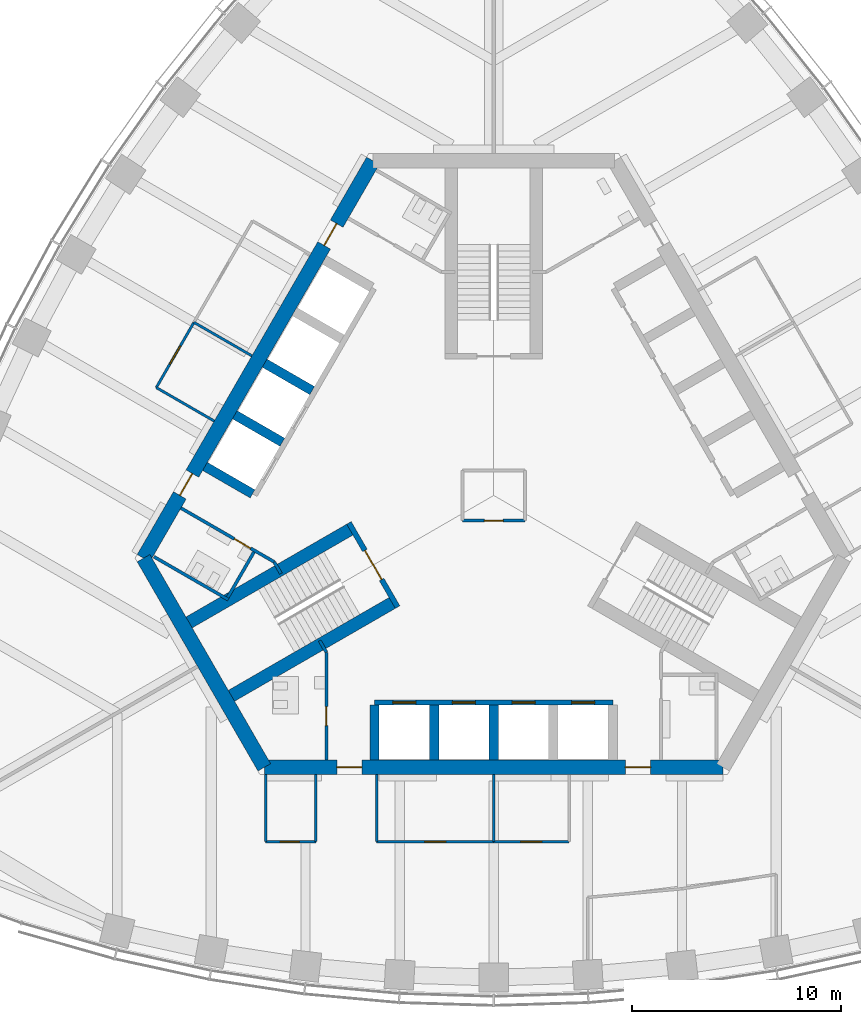
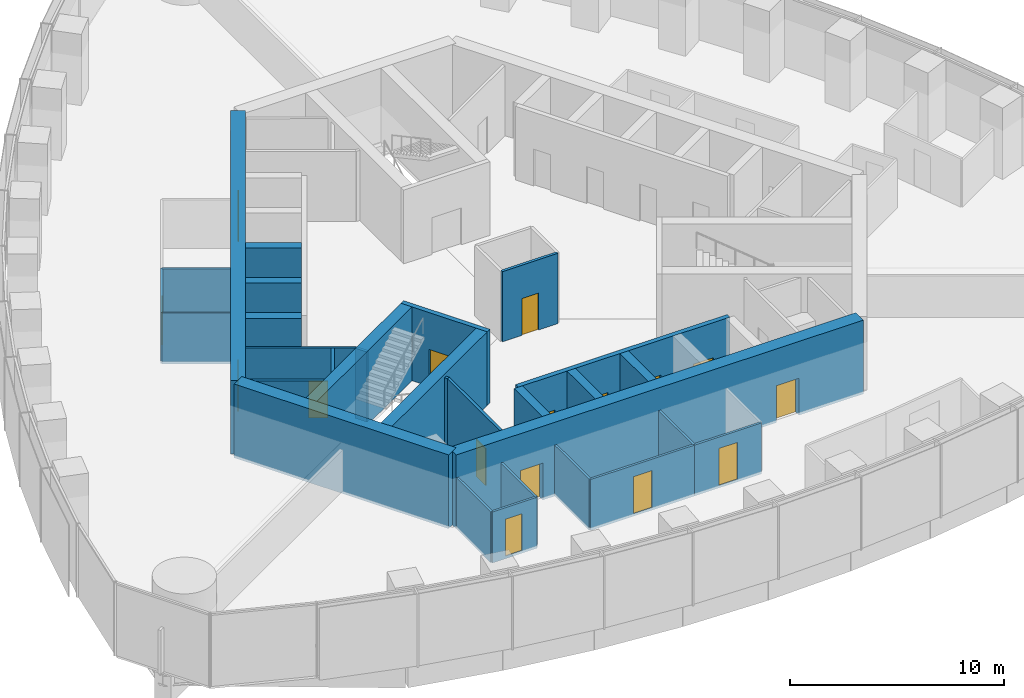
# One storey, part 8 of 14: 30 walls, 16 doors, 16 openings.
"""IFC4 building model written with IfcOpenShell, lengths in metres."""

import ifcopenshell
import ifcopenshell.guid

model = None  # the IFC model being written
_history = None  # IfcOwnerHistory: only IFC2X3 demands one
_inside = {}  # id of a spatial element -> (the spatial element, [elements in it])
_under = {}  # id of a project, library or spatial element -> (it, [spatial elements below it])
_declared = {}  # id of a project -> (the project, [libraries it declares])
_typed = {}  # id of a type object -> (the type object, [elements of that type])
_made_of = {}  # id of a material, layer set ... -> (it, [elements and type objects made of it])


def new_model(schema):
    """Start an empty IFC model of exactly this schema.

    Asked for "IFC4X3", IfcOpenShell would pick the latest addendum, in which some entities
    have other attributes; the version numbers below select the first issue.
    IFC2X3 requires an IfcOwnerHistory on every rooted entity: one is made here for all.
    """
    global model, _history
    if schema == "IFC4X3":
        model = ifcopenshell.file(schema_version=(4, 3, 0, 0))
    else:
        model = ifcopenshell.file(schema=schema)
    _inside.clear()
    _under.clear()
    _declared.clear()
    _typed.clear()
    _made_of.clear()
    _history = None
    if model.schema == "IFC2X3":
        org = make("IfcOrganization", Name="unknown")
        user = make(
            "IfcPersonAndOrganization",
            ThePerson=make("IfcPerson", FamilyName="unknown"),
            TheOrganization=org,
        )
        app = make(
            "IfcApplication",
            ApplicationDeveloper=org,
            Version="unknown",
            ApplicationFullName="unknown",
            ApplicationIdentifier="unknown",
        )
        _history = make(
            "IfcOwnerHistory",
            OwningUser=user,
            OwningApplication=app,
            ChangeAction="ADDED",
            CreationDate=0,
        )
    return model


def make(cls, **values):
    """One entity of the class cls with the attributes given. An attribute that is None is left unset."""
    return model.create_entity(
        cls, **{name: value for name, value in values.items() if value is not None}
    )


def rooted(cls, **values):
    """An entity with a GlobalId (a new one), such as an element, a storey or a relation."""
    return make(cls, GlobalId=ifcopenshell.guid.new(), OwnerHistory=_history, **values)


def si_unit(unit_type, name, prefix=None):
    """IfcSIUnit, for example si_unit("LENGTHUNIT", "METRE", prefix="MILLI")."""
    return make("IfcSIUnit", UnitType=unit_type, Prefix=prefix, Name=name)


def assignment(units):
    """IfcUnitAssignment: the units of a project."""
    return None if units is None else make("IfcUnitAssignment", Units=units)


def point(xyz):
    """IfcCartesianPoint."""
    return None if xyz is None else make("IfcCartesianPoint", Coordinates=xyz)


def direction(xyz):
    """IfcDirection."""
    return None if xyz is None else make("IfcDirection", DirectionRatios=xyz)


def frame(location, z_axis=None, x_axis=None):
    """IfcAxis2Placement3D, a coordinate frame: its origin and axes. An axis left out is left unset."""
    return make(
        "IfcAxis2Placement3D",
        Location=point(location),
        Axis=direction(z_axis),
        RefDirection=direction(x_axis),
    )


def frame_2d(location, x_axis=None):
    """IfcAxis2Placement2D, a coordinate frame in the plane: its origin and x axis."""
    return make(
        "IfcAxis2Placement2D", Location=point(location), RefDirection=direction(x_axis)
    )


def origin():
    """The frame at (0, 0, 0) with its axes left unset."""
    return frame((0.0, 0.0, 0.0))


def place(relative_to, where):
    """IfcLocalPlacement: puts the frame where relative to a parent placement (None: the world)."""
    return make(
        "IfcLocalPlacement", PlacementRelTo=relative_to, RelativePlacement=where
    )


def context(
    kind, dimensions, precision=None, world=None, true_north=None, identifier=None
):
    """IfcGeometricRepresentationContext, for example the 3D "Model" context."""
    return make(
        "IfcGeometricRepresentationContext",
        ContextIdentifier=identifier,
        ContextType=kind,
        CoordinateSpaceDimension=dimensions,
        Precision=precision,
        WorldCoordinateSystem=world,
        TrueNorth=true_north,
    )


def subcontext(parent, identifier, kind, view, scale=None):
    """IfcGeometricRepresentationSubContext, for example "Body" below "Model"."""
    return make(
        "IfcGeometricRepresentationSubContext",
        ContextIdentifier=identifier,
        ContextType=kind,
        ParentContext=parent,
        TargetScale=scale,
        TargetView=view,
    )


def project(units=None, contexts=None):
    """IfcProject with its units and contexts."""
    return rooted(
        "IfcProject",
        Name="project",
        RepresentationContexts=contexts,
        UnitsInContext=assignment(units),
    )


def spatial(cls, under=None, at=None, **own):
    """A site, building, storey or space (cls), placed at a placement, below another one or the project."""
    s = rooted(cls, ObjectPlacement=at, **own)
    if under is not None:
        _under.setdefault(under.id(), (under, []))[1].append(s)
    return s


def profile(cls, at=None, kind="AREA", **sizes):
    """A parametric profile (cls). Its sizes go by their IFC names, for example OverallWidth=200.0."""
    return make(cls, ProfileType=kind, Position=at, **sizes)


def rectangle(**sizes):
    """IfcRectangleProfileDef."""
    return profile("IfcRectangleProfileDef", **sizes)


def extrude(swept, where, along, depth):
    """IfcExtrudedAreaSolid: the profile swept, set in the frame where, extruded along a direction by depth."""
    return make(
        "IfcExtrudedAreaSolid",
        SweptArea=swept,
        Position=where,
        ExtrudedDirection=direction(along),
        Depth=depth,
    )


def shape(context_of_items, identifier, shape_type, items):
    """IfcShapeRepresentation: the items that make up one representation, for example the "Body"."""
    return make(
        "IfcShapeRepresentation",
        ContextOfItems=context_of_items,
        RepresentationIdentifier=identifier,
        RepresentationType=shape_type,
        Items=items,
    )


def material(Name=None, Category=None):
    """IfcMaterial."""
    return make("IfcMaterial", Name=Name, Category=Category)


def layer(
    of_material, thickness, ventilated=None, Name=None, Category=None, Priority=None
):
    """IfcMaterialLayer: one layer of a wall or slab, of a material (None: an air gap)."""
    return make(
        "IfcMaterialLayer",
        Material=of_material,
        LayerThickness=thickness,
        IsVentilated=ventilated,
        Name=Name,
        Category=Category,
        Priority=Priority,
    )


def layer_set(layers, Name=None):
    """IfcMaterialLayerSet."""
    return make("IfcMaterialLayerSet", MaterialLayers=layers, LayerSetName=Name)


def made_of(thing, what):
    """Note that an element or type object is made of a material, layer set ...; save() writes the relation."""
    if what is not None:
        _made_of.setdefault(what.id(), (what, []))[1].append(thing)
    return thing


def type_object(cls, material=None, **own):
    """A type object (cls), such as IfcWallType, which elements share."""
    return made_of(rooted(cls, **own), material)


def element(
    cls,
    number,
    at=None,
    inside=None,
    cuts=None,
    type_object=None,
    material=None,
    context=None,
    identifier="Body",
    shape_type=None,
    held_by="IfcProductDefinitionShape",
    body=None,
    shapes=None,
    **own,
):
    """One element of the class cls, such as IfcWall. Its Tag is "e" and its number.

    at: its placement. inside: the storey or other place that contains it. cuts: it is an
    opening in that element (IfcRelVoidsElement). A single representation is given by context,
    identifier, shape_type and body (its items); several are given by shapes. held_by: the class
    of the entity that holds the representations. save() writes the other relations.
    """
    e = rooted(cls, Tag="e%d" % number, ObjectPlacement=at, **own)
    if body is not None:
        shapes = [shape(context, identifier, shape_type, body)]
    if shapes is not None:
        e.Representation = make(held_by, Representations=shapes)
    if inside is not None:
        _inside.setdefault(inside.id(), (inside, []))[1].append(e)
    if cuts is not None:
        rooted(
            "IfcRelVoidsElement", RelatingBuildingElement=cuts, RelatedOpeningElement=e
        )
    if type_object is not None:
        _typed.setdefault(type_object.id(), (type_object, []))[1].append(e)
    return made_of(e, material)


def fill(opening, filler):
    """IfcRelFillsElement: the door or window that sits in an opening."""
    return rooted(
        "IfcRelFillsElement",
        RelatingOpeningElement=opening,
        RelatedBuildingElement=filler,
    )


def aggregate(whole, parts):
    """IfcRelAggregates: a whole, such as a stair, and the parts it consists of."""
    return rooted("IfcRelAggregates", RelatingObject=whole, RelatedObjects=parts)


def save(model, path):
    """Write the relations noted so far, then the file.

    IfcRelAggregates (storeys below a building ...), IfcRelContainedInSpatialStructure (elements
    in a storey), IfcRelDefinesByType, IfcRelAssociatesMaterial and IfcRelDeclares: one each for
    every whole, place, type object, material and project.
    """
    for whole, parts in _under.values():
        aggregate(whole, parts)
    for where, things in _inside.values():
        rooted(
            "IfcRelContainedInSpatialStructure",
            RelatedElements=things,
            RelatingStructure=where,
        )
    for kind, things in _typed.values():
        rooted("IfcRelDefinesByType", RelatedObjects=things, RelatingType=kind)
    for what, things in _made_of.values():
        rooted("IfcRelAssociatesMaterial", RelatedObjects=things, RelatingMaterial=what)
    for by, libraries in _declared.values():
        rooted("IfcRelDeclares", RelatingContext=by, RelatedDefinitions=libraries)
    model.write(path)


model = new_model("IFC4")

# Units and contexts
model_context = context("Model", 3, precision=1e-05, world=origin(), true_north=direction((0.0, 1.0)))
body_context = subcontext(model_context, "Body", "Model", "MODEL_VIEW")
ifc_project = project(units=[si_unit("LENGTHUNIT", "METRE"), si_unit("AREAUNIT", "SQUARE_METRE"), si_unit("VOLUMEUNIT", "CUBIC_METRE"), si_unit("PLANEANGLEUNIT", "RADIAN"), si_unit("MASSUNIT", "GRAM", prefix="KILO")], contexts=[model_context])

# Site, building, storey
site_placement = place(None, origin())
site = spatial("IfcSite", under=ifc_project, at=site_placement, CompositionType="ELEMENT")
building_placement = place(site_placement, origin())
building = spatial("IfcBuilding", under=site, at=building_placement, Name="Trefoil Bronze Tower", CompositionType="ELEMENT")
storey_placement = place(building_placement, frame((0.0, 0.0, 280.5)))
storey = spatial("IfcBuildingStorey", under=building, at=storey_placement, Name="L64", CompositionType="ELEMENT", Elevation=280.5)

# Wall, openings, doors
ifc_material_1 = material(Name="Concrete B80", Category="concrete")
ifc_layer_1 = layer(ifc_material_1, 0.699951171875)
ifc_layer_set_1 = layer_set([ifc_layer_1], Name="Core wall 700")
wall_type_1 = type_object("IfcWallType", Name="Core wall 700", PredefinedType="SHEAR", material=ifc_layer_set_1)
wall_1_placement = place(storey_placement, frame((-10.9697265625, -13.0, 0.0), z_axis=(0.0, 0.0, 1.0), x_axis=(1.0, 0.0, 0.0)))
wall_1 = element("IfcWall", 1, at=wall_1_placement, inside=storey, type_object=wall_type_1, Name="Core long wall 1 L64", PredefinedType="SHEAR", context=body_context, shape_type="SweptSolid", body=[
    extrude(rectangle(XDim=21.939453125, YDim=0.699951171875, at=frame_2d((10.9697265625, 0.0))), origin(), (0.0, 0.0, 1.0), 4.199951171875),
])
opening_1_placement = place(wall_1_placement, frame((17.269775390625, 0.0, 0.0)))
opening_1 = element("IfcOpeningElement", 2, at=opening_1_placement, cuts=wall_1, Name="Opening D2", PredefinedType="OPENING", context=body_context, shape_type="SweptSolid", body=[
    extrude(rectangle(XDim=1.199951171875, YDim=2.10009765625, at=frame_2d((0.60009765625, 1.050048828125))), frame((0.0, 0.35986328125, 0.0), z_axis=(0.0, -1.0, 0.0), x_axis=(1.0, 0.0, 0.0)), (0.0, 0.0, 1.0), 0.719970703125),
])
opening_2_placement = place(wall_1_placement, frame((3.4697265625, 0.0, 0.0)))
opening_2 = element("IfcOpeningElement", 3, at=opening_2_placement, cuts=wall_1, Name="Opening D2", PredefinedType="OPENING", context=body_context, shape_type="SweptSolid", body=[
    extrude(rectangle(XDim=1.199951171875, YDim=2.10009765625, at=frame_2d((0.60009765625, 1.050048828125))), frame((0.0, 0.35986328125, 0.0), z_axis=(0.0, -1.0, 0.0), x_axis=(1.0, 0.0, 0.0)), (0.0, 0.0, 1.0), 0.719970703125),
])
ifc_material_2 = material(Name="Steel door", Category="steel")
door_type_1 = type_object("IfcDoorType", Name="Lobby door 1200", OperationType="SINGLE_SWING_RIGHT", PredefinedType="DOOR", material=ifc_material_2)
door_1_placement = place(opening_1_placement, origin())
door_1 = element("IfcDoor", 4, at=door_1_placement, inside=storey, type_object=door_type_1, Name="Lobby door F1+ L64", OperationType="SINGLE_SWING_RIGHT", OverallHeight=2.10009765625, OverallWidth=1.199951171875, PredefinedType="DOOR", context=body_context, shape_type="SweptSolid", body=[
    extrude(rectangle(XDim=1.199951171875, YDim=2.10009765625, at=frame_2d((0.60009765625, 1.050048828125))), frame((0.0, 0.02490234375, 0.0), z_axis=(0.0, -1.0, 0.0), x_axis=(1.0, 0.0, 0.0)), (0.0, 0.0, 1.0), 0.050048828125),
])
fill(opening_1, door_1)
door_2_placement = place(opening_2_placement, origin())
door_2 = element("IfcDoor", 5, at=door_2_placement, inside=storey, type_object=door_type_1, Name="Lobby door F1- L64", OperationType="SINGLE_SWING_LEFT", OverallHeight=2.10009765625, OverallWidth=1.199951171875, PredefinedType="DOOR", context=body_context, shape_type="SweptSolid", body=[
    extrude(rectangle(XDim=1.199951171875, YDim=2.10009765625, at=frame_2d((0.60009765625, 1.050048828125))), frame((0.0, 0.02490234375, 0.0), z_axis=(0.0, -1.0, 0.0), x_axis=(1.0, 0.0, 0.0)), (0.0, 0.0, 1.0), 0.050048828125),
])
fill(opening_2, door_2)

wall_2_placement = place(storey_placement, frame((-5.7734375, 16.0, 0.0), z_axis=(0.0, 0.0, 1.0), x_axis=(-0.500002442456, -0.866023993627, 0.0)))
wall_2 = element("IfcWall", 6, at=wall_2_placement, inside=storey, type_object=wall_type_1, Name="Core long wall 3 L64", PredefinedType="SHEAR", context=body_context, shape_type="SweptSolid", body=[
    extrude(rectangle(XDim=21.939453125, YDim=0.699951171875, at=frame_2d((10.9697265625, 0.0))), origin(), (0.0, 0.0, 1.0), 4.199951171875),
])
opening_3_placement = place(wall_2_placement, frame((17.269775390625, 0.0, 0.0)))
opening_3 = element("IfcOpeningElement", 7, at=opening_3_placement, cuts=wall_2, Name="Opening D2", PredefinedType="OPENING", context=body_context, shape_type="SweptSolid", body=[
    extrude(rectangle(XDim=1.199951171875, YDim=2.10009765625, at=frame_2d((0.60009765625, 1.050048828125))), frame((0.0, 0.35986328125, 0.0), z_axis=(0.0, -1.0, 0.0), x_axis=(1.0, 0.0, 0.0)), (0.0, 0.0, 1.0), 0.719970703125),
])
opening_4_placement = place(wall_2_placement, frame((3.4697265625, 0.0, 0.0)))
opening_4 = element("IfcOpeningElement", 8, at=opening_4_placement, cuts=wall_2, Name="Opening D2", PredefinedType="OPENING", context=body_context, shape_type="SweptSolid", body=[
    extrude(rectangle(XDim=1.199951171875, YDim=2.10009765625, at=frame_2d((0.60009765625, 1.050048828125))), frame((0.0, 0.35986328125, 0.0), z_axis=(0.0, -1.0, 0.0), x_axis=(1.0, 0.0, 0.0)), (0.0, 0.0, 1.0), 0.719970703125),
])
door_3_placement = place(opening_3_placement, origin())
door_3 = element("IfcDoor", 9, at=door_3_placement, inside=storey, type_object=door_type_1, Name="Lobby door F3+ L64", OperationType="SINGLE_SWING_RIGHT", OverallHeight=2.10009765625, OverallWidth=1.199951171875, PredefinedType="DOOR", context=body_context, shape_type="SweptSolid", body=[
    extrude(rectangle(XDim=1.199951171875, YDim=2.10009765625, at=frame_2d((0.60009765625, 1.050048828125))), frame((0.0, 0.02490234375, 0.0), z_axis=(0.0, -1.0, 0.0), x_axis=(1.0, 0.0, 0.0)), (0.0, 0.0, 1.0), 0.050048828125),
])
fill(opening_3, door_3)
door_4_placement = place(opening_4_placement, origin())
door_4 = element("IfcDoor", 10, at=door_4_placement, inside=storey, type_object=door_type_1, Name="Lobby door F3- L64", OperationType="SINGLE_SWING_LEFT", OverallHeight=2.10009765625, OverallWidth=1.199951171875, PredefinedType="DOOR", context=body_context, shape_type="SweptSolid", body=[
    extrude(rectangle(XDim=1.199951171875, YDim=2.10009765625, at=frame_2d((0.60009765625, 1.050048828125))), frame((0.0, 0.02490234375, 0.0), z_axis=(0.0, -1.0, 0.0), x_axis=(1.0, 0.0, 0.0)), (0.0, 0.0, 1.0), 0.050048828125),
])
fill(opening_4, door_4)

# Wall
wall_3_placement = place(storey_placement, frame((-16.7431640625, -3.0, 0.0), z_axis=(0.0, 0.0, 1.0), x_axis=(0.499995765644, -0.866027848477, 0.0)))
element("IfcWall", 11, at=wall_3_placement, inside=storey, type_object=wall_type_1, Name="Core short wall 3 L64", PredefinedType="SHEAR", context=body_context, shape_type="SweptSolid", body=[
    extrude(rectangle(XDim=11.546875, YDim=0.699951171875, at=frame_2d((5.7734375, 0.0))), origin(), (0.0, 0.0, 1.0), 4.199951171875),
])

# Wall, opening, door
ifc_material_3 = material(Name="Glazed partition", Category="glass")
ifc_layer_2 = layer(ifc_material_3, 0.1201171875)
ifc_layer_set_2 = layer_set([ifc_layer_2], Name="Glazed partition 120")
wall_type_2 = type_object("IfcWallType", Name="Glazed partition 120", PredefinedType="PARTITIONING", material=ifc_layer_set_2)
wall_4_placement = place(storey_placement, frame((0.0, -16.550048828125, 0.0), z_axis=(0.0, 0.0, 1.0), x_axis=(1.0, 0.0, 0.0)))
wall_4 = element("IfcWall", 12, at=wall_4_placement, inside=storey, type_object=wall_type_2, Name="Partition F1 L64", PredefinedType="PARTITIONING", context=body_context, shape_type="SweptSolid", body=[
    extrude(rectangle(XDim=3.60009765625, YDim=0.1201171875, at=frame_2d((1.800048828125, 0.0))), origin(), (0.0, 0.0, 1.0), 2.89990234375),
])
opening_5_placement = place(wall_4_placement, frame((1.300048828125, 0.0, 0.14990234375)))
opening_5 = element("IfcOpeningElement", 13, at=opening_5_placement, cuts=wall_4, Name="Opening D9", PredefinedType="OPENING", context=body_context, shape_type="SweptSolid", body=[
    extrude(rectangle(XDim=1.0, YDim=2.10009765625, at=frame_2d((0.5, 1.050048828125))), frame((0.0, 0.070068359375, 0.0), z_axis=(0.0, -1.0, 0.0), x_axis=(1.0, 0.0, 0.0)), (0.0, 0.0, 1.0), 0.14013671875),
])
ifc_material_4 = material(Name="Glazed timber door", Category="wood")
door_type_2 = type_object("IfcDoorType", Name="Meeting room door 1000", OperationType="SINGLE_SWING_LEFT", PredefinedType="DOOR", material=ifc_material_4)
door_5_placement = place(opening_5_placement, origin())
door_5 = element("IfcDoor", 14, at=door_5_placement, inside=storey, type_object=door_type_2, Name="Meeting room door F1 L64", OperationType="SINGLE_SWING_LEFT", OverallHeight=2.10009765625, OverallWidth=1.0, PredefinedType="DOOR", context=body_context, shape_type="SweptSolid", body=[
    extrude(rectangle(XDim=1.0, YDim=2.10009765625, at=frame_2d((0.5, 1.050048828125))), frame((0.0, 0.02490234375, 0.0), z_axis=(0.0, -1.0, 0.0), x_axis=(1.0, 0.0, 0.0)), (0.0, 0.0, 1.0), 0.050048828125),
])
fill(opening_5, door_5)

wall_5_placement = place(storey_placement, frame((-10.89990234375, -16.550048828125, 0.0), z_axis=(0.0, 0.0, 1.0), x_axis=(1.0, 0.0, 0.0)))
wall_5 = element("IfcWall", 15, at=wall_5_placement, inside=storey, type_object=wall_type_2, Name="Partition F1 L64", PredefinedType="PARTITIONING", context=body_context, shape_type="SweptSolid", body=[
    extrude(rectangle(XDim=2.39990234375, YDim=0.1201171875, at=frame_2d((1.199951171875, 0.0))), origin(), (0.0, 0.0, 1.0), 2.89990234375),
])
opening_6_placement = place(wall_5_placement, frame((0.699951171875, 0.0, 0.14990234375)))
opening_6 = element("IfcOpeningElement", 16, at=opening_6_placement, cuts=wall_5, Name="Opening D8", PredefinedType="OPENING", context=body_context, shape_type="SweptSolid", body=[
    extrude(rectangle(XDim=0.89990234375, YDim=2.10009765625, at=frame_2d((0.449951171875, 1.050048828125))), frame((0.0, 0.070068359375, 0.0), z_axis=(0.0, -1.0, 0.0), x_axis=(1.0, 0.0, 0.0)), (0.0, 0.0, 1.0), 0.14013671875),
])
ifc_material_5 = material(Name="Timber door", Category="wood")
door_type_3 = type_object("IfcDoorType", Name="Office door 900", OperationType="SINGLE_SWING_LEFT", PredefinedType="DOOR", material=ifc_material_5)
door_6_placement = place(opening_6_placement, origin())
door_6 = element("IfcDoor", 17, at=door_6_placement, inside=storey, type_object=door_type_3, Name="Comms room door F1 L64", OperationType="SINGLE_SWING_LEFT", OverallHeight=2.10009765625, OverallWidth=0.89990234375, PredefinedType="DOOR", context=body_context, shape_type="SweptSolid", body=[
    extrude(rectangle(XDim=0.89990234375, YDim=2.10009765625, at=frame_2d((0.449951171875, 1.050048828125))), frame((0.0, 0.02490234375, 0.0), z_axis=(0.0, -1.0, 0.0), x_axis=(1.0, 0.0, 0.0)), (0.0, 0.0, 1.0), 0.050048828125),
])
fill(opening_6, door_6)

wall_6_placement = place(storey_placement, frame((-5.60009765625, -16.550048828125, 0.0), z_axis=(0.0, 0.0, 1.0), x_axis=(1.0, 0.0, 0.0)))
wall_6 = element("IfcWall", 18, at=wall_6_placement, inside=storey, type_object=wall_type_2, Name="Partition F1 L64", PredefinedType="PARTITIONING", context=body_context, shape_type="SweptSolid", body=[
    extrude(rectangle(XDim=5.60009765625, YDim=0.1201171875, at=frame_2d((2.800048828125, 0.0))), origin(), (0.0, 0.0, 1.0), 2.89990234375),
])
opening_7_placement = place(wall_6_placement, frame((2.300048828125, 0.0, 0.14990234375)))
opening_7 = element("IfcOpeningElement", 19, at=opening_7_placement, cuts=wall_6, Name="Opening D9", PredefinedType="OPENING", context=body_context, shape_type="SweptSolid", body=[
    extrude(rectangle(XDim=1.0, YDim=2.10009765625, at=frame_2d((0.5, 1.050048828125))), frame((0.0, 0.070068359375, 0.0), z_axis=(0.0, -1.0, 0.0), x_axis=(1.0, 0.0, 0.0)), (0.0, 0.0, 1.0), 0.14013671875),
])
door_7_placement = place(opening_7_placement, origin())
door_7 = element("IfcDoor", 20, at=door_7_placement, inside=storey, type_object=door_type_2, Name="Meeting room door F1 L64", OperationType="SINGLE_SWING_LEFT", OverallHeight=2.10009765625, OverallWidth=1.0, PredefinedType="DOOR", context=body_context, shape_type="SweptSolid", body=[
    extrude(rectangle(XDim=1.0, YDim=2.10009765625, at=frame_2d((0.5, 1.050048828125))), frame((0.0, 0.02490234375, 0.0), z_axis=(0.0, -1.0, 0.0), x_axis=(1.0, 0.0, 0.0)), (0.0, 0.0, 1.0), 0.050048828125),
])
fill(opening_7, door_7)

# Walls
for number, where, z_axis, x_axis, name in (
    (21, (0.0, -13.35009765625, 0.0), (0.0, 0.0, 1.0), (0.0, -1.0, 0.0), "Partition F1 L64"),
    (22, (-10.89990234375, -13.35009765625, 0.0), (0.0, 0.0, 1.0), (0.0, -1.0, 0.0), "Partition F1 L64"),
    (23, (-5.60009765625, -13.35009765625, 0.0), (0.0, 0.0, 1.0), (0.0, -1.0, 0.0), "Partition F1 L64"),
    (24, (-8.5, -13.35009765625, 0.0), (0.0, 0.0, 1.0), (0.0, -1.0, 0.0), "Partition F1 L64"),
):
    element("IfcWall", number, at=place(storey_placement, frame(where, z_axis=z_axis, x_axis=x_axis)), inside=storey, type_object=wall_type_2, Name=name, PredefinedType="PARTITIONING", context=body_context, shape_type="SweptSolid", body=[
        extrude(rectangle(XDim=3.199951171875, YDim=0.1201171875, at=frame_2d((1.60009765625, 0.0))), origin(), (0.0, 0.0, 1.0), 2.89990234375),
    ])

# Wall, opening, door
wall_7_placement = place(storey_placement, frame((-14.332763671875, 8.27490234375, 0.0), z_axis=(0.0, 0.0, 1.0), x_axis=(-0.500012057535, -0.866018442252, 0.0)))
wall_7 = element("IfcWall", 25, at=wall_7_placement, inside=storey, type_object=wall_type_2, Name="Partition F3 L64", PredefinedType="PARTITIONING", context=body_context, shape_type="SweptSolid", body=[
    extrude(rectangle(XDim=3.60009765625, YDim=0.1201171875, at=frame_2d((1.800048828125, 0.0))), origin(), (0.0, 0.0, 1.0), 2.89990234375),
])
opening_8_placement = place(wall_7_placement, frame((1.300048828125, 0.0, 0.14990234375)))
opening_8 = element("IfcOpeningElement", 26, at=opening_8_placement, cuts=wall_7, Name="Opening D9", PredefinedType="OPENING", context=body_context, shape_type="SweptSolid", body=[
    extrude(rectangle(XDim=1.0, YDim=2.10009765625, at=frame_2d((0.5, 1.050048828125))), frame((0.0, 0.070068359375, 0.0), z_axis=(0.0, -1.0, 0.0), x_axis=(1.0, 0.0, 0.0)), (0.0, 0.0, 1.0), 0.14013671875),
])
door_8_placement = place(opening_8_placement, origin())
door_8 = element("IfcDoor", 27, at=door_8_placement, inside=storey, type_object=door_type_2, Name="Meeting room door F3 L64", OperationType="SINGLE_SWING_LEFT", OverallHeight=2.10009765625, OverallWidth=1.0, PredefinedType="DOOR", context=body_context, shape_type="SweptSolid", body=[
    extrude(rectangle(XDim=1.0, YDim=2.10009765625, at=frame_2d((0.5, 1.050048828125))), frame((0.0, 0.02490234375, 0.0), z_axis=(0.0, -1.0, 0.0), x_axis=(1.0, 0.0, 0.0)), (0.0, 0.0, 1.0), 0.050048828125),
])
fill(opening_8, door_8)

# Walls
wall_8_placement = place(storey_placement, frame((-13.361328125, 3.557373046875, 0.0), z_axis=(0.0, 0.0, 1.0), x_axis=(-0.866061088033, 0.499938187974, 0.0)))
element("IfcWall", 28, at=wall_8_placement, inside=storey, type_object=wall_type_2, Name="Partition F3 L64", PredefinedType="PARTITIONING", context=body_context, shape_type="SweptSolid", body=[
    extrude(rectangle(XDim=3.2001953125, YDim=0.1201171875, at=frame_2d((1.60009765625, 0.0))), origin(), (0.0, 0.0, 1.0), 2.89990234375),
])
wall_9_placement = place(storey_placement, frame((-11.5615234375, 6.675048828125, 0.0), z_axis=(0.0, 0.0, 1.0), x_axis=(-0.866042017984, 0.499971222258, 0.0)))
element("IfcWall", 29, at=wall_9_placement, inside=storey, type_object=wall_type_2, Name="Partition F3 L64", PredefinedType="PARTITIONING", context=body_context, shape_type="SweptSolid", body=[
    extrude(rectangle(XDim=3.199951171875, YDim=0.1201171875, at=frame_2d((1.60009765625, 0.0))), origin(), (0.0, 0.0, 1.0), 2.89990234375),
])
ifc_material_6 = material(Name="Concrete B80", Category="concrete")
ifc_layer_3 = layer(ifc_material_6, 0.449951171875)
ifc_layer_set_3 = layer_set([ifc_layer_3], Name="Outrigger shaft wall 450")
wall_type_3 = type_object("IfcWallType", Name="Outrigger shaft wall 450", PredefinedType="SHEAR", material=ifc_layer_set_3)
for number, where, z_axis, x_axis, name in (
    (30, (-5.699951171875, -10.02490234375, 0.0), (0.0, 0.0, 1.0), (0.0, -1.0, 0.0), "Lift shaft side wall A0 L64"),
    (31, (-2.85009765625, -10.02490234375, 0.0), (0.0, 0.0, 1.0), (0.0, -1.0, 0.0), "Lift shaft side wall A1 L64"),
    (32, (0.0, -10.02490234375, 0.0), (0.0, 0.0, 1.0), (0.0, -1.0, 0.0), "Lift shaft side wall A2 L64"),
    (33, (-8.681884765625, 5.012451171875, 0.0), (0.0, 0.0, 1.0), (-0.866036909293, 0.499980071345, 0.0), "Lift shaft side wall C2 L64"),
    (34, (-10.10693359375, 2.54443359375, 0.0), (0.0, 0.0, 1.0), (-0.866013657776, 0.500020344131, 0.0), "Lift shaft side wall C3 L64"),
    (35, (-11.531982421875, 0.076171875, 0.0), (0.0, 0.0, 1.0), (-0.866013657776, 0.500020344131, 0.0), "Lift shaft side wall C4 L64"),
):
    element("IfcWall", number, at=place(storey_placement, frame(where, z_axis=z_axis, x_axis=x_axis)), inside=storey, type_object=wall_type_3, Name=name, PredefinedType="SHEAR", context=body_context, shape_type="SweptSolid", body=[
        extrude(rectangle(XDim=2.625, YDim=0.449951171875, at=frame_2d((1.3125, 0.0))), origin(), (0.0, 0.0, 1.0), 4.199951171875),
    ])

# Wall, opening, door
ifc_material_7 = material(Name="Gypsum board on steel studs", Category="steel")
ifc_layer_4 = layer(ifc_material_7, 0.14990234375)
ifc_layer_set_4 = layer_set([ifc_layer_4], Name="Partition 150")
wall_type_4 = type_object("IfcWallType", Name="Partition 150", PredefinedType="PARTITIONING", material=ifc_layer_set_4)
wall_10_placement = place(storey_placement, frame((-8.0, -7.5, 0.0), z_axis=(0.0, 0.0, 1.0), x_axis=(0.0, -1.0, 0.0)))
wall_10 = element("IfcWall", 36, at=wall_10_placement, inside=storey, type_object=wall_type_4, Name="Passage wall F1- L64", PredefinedType="PARTITIONING", context=body_context, shape_type="SweptSolid", body=[
    extrude(rectangle(XDim=5.14990234375, YDim=0.14990234375, at=frame_2d((2.574951171875, 0.0))), origin(), (0.0, 0.0, 1.0), 4.0),
])
opening_9_placement = place(wall_10_placement, frame((2.60009765625, 0.0, 0.0)))
opening_9 = element("IfcOpeningElement", 37, at=opening_9_placement, cuts=wall_10, Name="Opening D3", PredefinedType="OPENING", context=body_context, shape_type="SweptSolid", body=[
    extrude(rectangle(XDim=0.89990234375, YDim=2.10009765625, at=frame_2d((0.449951171875, 1.050048828125))), frame((0.0, 0.0849609375, 0.0), z_axis=(0.0, -1.0, 0.0), x_axis=(1.0, 0.0, 0.0)), (0.0, 0.0, 1.0), 0.169921875),
])
ifc_material_8 = material(Name="Timber door", Category="wood")
door_type_4 = type_object("IfcDoorType", Name="WC door 900", OperationType="SINGLE_SWING_LEFT", PredefinedType="DOOR", material=ifc_material_8)
door_9_placement = place(opening_9_placement, frame((0.89990234375, 0.0, 0.0), z_axis=(0.0, 0.0, 1.0), x_axis=(-1.0, 0.0, 0.0)))
door_9 = element("IfcDoor", 38, at=door_9_placement, inside=storey, type_object=door_type_4, Name="WC (women) door L64", OperationType="SINGLE_SWING_LEFT", OverallHeight=2.10009765625, OverallWidth=0.89990234375, PredefinedType="DOOR", context=body_context, shape_type="SweptSolid", body=[
    extrude(rectangle(XDim=0.89990234375, YDim=2.10009765625, at=frame_2d((0.449951171875, 1.050048828125))), frame((0.0, 0.02490234375, 0.0), z_axis=(0.0, -1.0, 0.0), x_axis=(1.0, 0.0, 0.0)), (0.0, 0.0, 1.0), 0.050048828125),
])
fill(opening_9, door_9)

wall_11_placement = place(storey_placement, frame((-10.4951171875, -3.17822265625, 0.0), z_axis=(0.0, 0.0, 1.0), x_axis=(-0.866037967349, 0.499978238636, 0.0)))
wall_11 = element("IfcWall", 39, at=wall_11_placement, inside=storey, type_object=wall_type_4, Name="Passage wall F3+ L64", PredefinedType="PARTITIONING", context=body_context, shape_type="SweptSolid", body=[
    extrude(rectangle(XDim=5.150146484375, YDim=0.14990234375, at=frame_2d((2.5751953125, 0.0))), origin(), (0.0, 0.0, 1.0), 4.0),
])
opening_10_placement = place(wall_11_placement, frame((1.300048828125, 0.0, 0.0)))
opening_10 = element("IfcOpeningElement", 40, at=opening_10_placement, cuts=wall_11, Name="Opening D3", PredefinedType="OPENING", context=body_context, shape_type="SweptSolid", body=[
    extrude(rectangle(XDim=0.89990234375, YDim=2.10009765625, at=frame_2d((0.449951171875, 1.050048828125))), frame((0.0, 0.0849609375, 0.0), z_axis=(0.0, -1.0, 0.0), x_axis=(1.0, 0.0, 0.0)), (0.0, 0.0, 1.0), 0.169921875),
])
door_10_placement = place(opening_10_placement, origin())
door_10 = element("IfcDoor", 41, at=door_10_placement, inside=storey, type_object=door_type_4, Name="WC (men) door L64", OperationType="SINGLE_SWING_LEFT", OverallHeight=2.10009765625, OverallWidth=0.89990234375, PredefinedType="DOOR", context=body_context, shape_type="SweptSolid", body=[
    extrude(rectangle(XDim=0.89990234375, YDim=2.10009765625, at=frame_2d((0.449951171875, 1.050048828125))), frame((0.0, 0.02490234375, 0.0), z_axis=(0.0, -1.0, 0.0), x_axis=(1.0, 0.0, 0.0)), (0.0, 0.0, 1.0), 0.050048828125),
])
fill(opening_10, door_10)

# Walls
for number, where, z_axis, x_axis, name in (
    (42, (-10.4951171875, -3.17822265625, 0.0), (0.0, 0.0, 1.0), (0.499842556608, -0.866116284689, 0.0), "WC wall ST3-1 L64"),
    (43, (-8.0, -7.5, 0.0), (0.0, 0.0, 1.0), (-0.499842556608, 0.866116284689, 0.0), "WC wall ST3+1 L64"),
):
    element("IfcWall", number, at=place(storey_placement, frame(where, z_axis=z_axis, x_axis=x_axis)), inside=storey, type_object=wall_type_4, Name=name, PredefinedType="PARTITIONING", context=body_context, shape_type="SweptSolid", body=[
        extrude(rectangle(XDim=0.645263671875, YDim=0.14990234375, at=frame_2d((0.32275390625, 0.0))), origin(), (0.0, 0.0, 1.0), 4.0),
    ])
wall_12_placement = place(storey_placement, frame((-12.691162109375, -4.98193359375, 0.0), z_axis=(0.0, 0.0, 1.0), x_axis=(-0.8660249478, 0.500000789788, 0.0)))
element("IfcWall", 44, at=wall_12_placement, inside=storey, type_object=wall_type_4, Name="WC partition WC (men) L64", PredefinedType="PARTITIONING", context=body_context, shape_type="SweptSolid", body=[
    extrude(rectangle(XDim=4.10009765625, YDim=0.14990234375, at=frame_2d((2.050048828125, 0.0))), origin(), (0.0, 0.0, 1.0), 4.0),
])
wall_13_placement = place(storey_placement, frame((-11.463623046875, -2.70556640625, 0.0), z_axis=(0.0, 0.0, 1.0), x_axis=(-0.50001992892, -0.866013897511, 0.0)))
element("IfcWall", 45, at=wall_13_placement, inside=storey, type_object=wall_type_4, Name="WC partition WC (men) L64", PredefinedType="PARTITIONING", context=body_context, shape_type="SweptSolid", body=[
    extrude(rectangle(XDim=2.51025390625, YDim=0.14990234375, at=frame_2d((1.255126953125, 0.0))), origin(), (0.0, 0.0, 1.0), 4.0),
])

# Wall, opening, door
ifc_material_9 = material(Name="Gypsum board on steel studs", Category="steel")
ifc_layer_5 = layer(ifc_material_9, 0.14990234375)
ifc_layer_set_5 = layer_set([ifc_layer_5], Name="Riser wall 150")
wall_type_5 = type_object("IfcWallType", Name="Riser wall 150", PredefinedType="PARTITIONING", material=ifc_layer_set_5)
wall_14_placement = place(storey_placement, frame((-1.5, -1.199951171875, 0.0), z_axis=(0.0, 0.0, 1.0), x_axis=(1.0, 0.0, 0.0)))
wall_14 = element("IfcWall", 46, at=wall_14_placement, inside=storey, type_object=wall_type_5, Name="Riser wall L64", PredefinedType="PARTITIONING", context=body_context, shape_type="SweptSolid", body=[
    extrude(rectangle(XDim=3.0, YDim=0.14990234375, at=frame_2d((1.5, 0.0))), origin(), (0.0, 0.0, 1.0), 4.0),
])
opening_11_placement = place(wall_14_placement, frame((1.050048828125, 0.0, 0.0)))
opening_11 = element("IfcOpeningElement", 47, at=opening_11_placement, cuts=wall_14, Name="Opening D4", PredefinedType="OPENING", context=body_context, shape_type="SweptSolid", body=[
    extrude(rectangle(XDim=0.89990234375, YDim=2.10009765625, at=frame_2d((0.449951171875, 1.050048828125))), frame((0.0, 0.0849609375, 0.0), z_axis=(0.0, -1.0, 0.0), x_axis=(1.0, 0.0, 0.0)), (0.0, 0.0, 1.0), 0.169921875),
])
ifc_material_10 = material(Name="Steel door", Category="steel")
door_type_5 = type_object("IfcDoorType", Name="Riser door 900", OperationType="SINGLE_SWING_LEFT", PredefinedType="DOOR", material=ifc_material_10)
door_11_placement = place(opening_11_placement, frame((0.89990234375, 0.0, 0.0), z_axis=(0.0, 0.0, 1.0), x_axis=(-1.0, 0.0, 0.0)))
door_11 = element("IfcDoor", 48, at=door_11_placement, inside=storey, type_object=door_type_5, Name="Riser door L64", OperationType="SINGLE_SWING_LEFT", OverallHeight=2.10009765625, OverallWidth=0.89990234375, PredefinedType="DOOR", context=body_context, shape_type="SweptSolid", body=[
    extrude(rectangle(XDim=0.89990234375, YDim=2.10009765625, at=frame_2d((0.449951171875, 1.050048828125))), frame((0.0, 0.02490234375, 0.0), z_axis=(0.0, -1.0, 0.0), x_axis=(1.0, 0.0, 0.0)), (0.0, 0.0, 1.0), 0.050048828125),
])
fill(opening_11, door_11)

# Wall, openings, doors
ifc_material_11 = material(Name="Concrete B80", Category="concrete")
ifc_layer_6 = layer(ifc_material_11, 0.25)
ifc_layer_set_6 = layer_set([ifc_layer_6], Name="Shaft wall 250")
wall_type_6 = type_object("IfcWallType", Name="Shaft wall 250", PredefinedType="SHEAR", material=ifc_layer_set_6)
wall_15_placement = place(storey_placement, frame((-5.699951171875, -9.89990234375, 0.0), z_axis=(0.0, 0.0, 1.0), x_axis=(1.0, 0.0, 0.0)))
wall_15 = element("IfcWall", 49, at=wall_15_placement, inside=storey, type_object=wall_type_6, Name="Lift shaft front wall A L64", PredefinedType="SHEAR", context=body_context, shape_type="SweptSolid", body=[
    extrude(rectangle(XDim=11.39990234375, YDim=0.25, at=frame_2d((5.699951171875, 0.0))), origin(), (0.0, 0.0, 1.0), 4.199951171875),
])
opening_12_placement = place(wall_15_placement, frame((0.875, 0.0, 0.0)))
opening_12 = element("IfcOpeningElement", 50, at=opening_12_placement, cuts=wall_15, Name="Opening LD-P41", PredefinedType="OPENING", context=body_context, shape_type="SweptSolid", body=[
    extrude(rectangle(XDim=1.10009765625, YDim=2.199951171875, at=frame_2d((0.550048828125, 1.10009765625))), frame((0.0, 0.135009765625, 0.0), z_axis=(0.0, -1.0, 0.0), x_axis=(1.0, 0.0, 0.0)), (0.0, 0.0, 1.0), 0.27001953125),
])
opening_13_placement = place(wall_15_placement, frame((3.72509765625, 0.0, 0.0)))
opening_13 = element("IfcOpeningElement", 51, at=opening_13_placement, cuts=wall_15, Name="Opening LD-P42", PredefinedType="OPENING", context=body_context, shape_type="SweptSolid", body=[
    extrude(rectangle(XDim=1.10009765625, YDim=2.199951171875, at=frame_2d((0.550048828125, 1.10009765625))), frame((0.0, 0.135009765625, 0.0), z_axis=(0.0, -1.0, 0.0), x_axis=(1.0, 0.0, 0.0)), (0.0, 0.0, 1.0), 0.27001953125),
])
opening_14_placement = place(wall_15_placement, frame((6.574951171875, 0.0, 0.0)))
opening_14 = element("IfcOpeningElement", 52, at=opening_14_placement, cuts=wall_15, Name="Opening LD-P43", PredefinedType="OPENING", context=body_context, shape_type="SweptSolid", body=[
    extrude(rectangle(XDim=1.10009765625, YDim=2.199951171875, at=frame_2d((0.550048828125, 1.10009765625))), frame((0.0, 0.135009765625, 0.0), z_axis=(0.0, -1.0, 0.0), x_axis=(1.0, 0.0, 0.0)), (0.0, 0.0, 1.0), 0.27001953125),
])
opening_15_placement = place(wall_15_placement, frame((9.425048828125, 0.0, 0.0)))
opening_15 = element("IfcOpeningElement", 53, at=opening_15_placement, cuts=wall_15, Name="Opening LD-P44", PredefinedType="OPENING", context=body_context, shape_type="SweptSolid", body=[
    extrude(rectangle(XDim=1.10009765625, YDim=2.199951171875, at=frame_2d((0.550048828125, 1.10009765625))), frame((0.0, 0.135009765625, 0.0), z_axis=(0.0, -1.0, 0.0), x_axis=(1.0, 0.0, 0.0)), (0.0, 0.0, 1.0), 0.27001953125),
])
ifc_material_12 = material(Name="Steel door", Category="steel")
door_type_6 = type_object("IfcDoorType", Name="Lift landing door 1100", OperationType="DOUBLE_DOOR_SLIDING", PredefinedType="DOOR", material=ifc_material_12)
door_12_placement = place(opening_12_placement, origin())
door_12 = element("IfcDoor", 54, at=door_12_placement, inside=storey, type_object=door_type_6, Name="Lift P41 landing door L64", OperationType="DOUBLE_DOOR_SLIDING", OverallHeight=2.199951171875, OverallWidth=1.10009765625, PredefinedType="DOOR", context=body_context, shape_type="SweptSolid", body=[
    extrude(rectangle(XDim=1.10009765625, YDim=2.199951171875, at=frame_2d((0.550048828125, 1.10009765625))), frame((0.0, 0.02490234375, 0.0), z_axis=(0.0, -1.0, 0.0), x_axis=(1.0, 0.0, 0.0)), (0.0, 0.0, 1.0), 0.050048828125),
])
fill(opening_12, door_12)
door_13_placement = place(opening_13_placement, origin())
door_13 = element("IfcDoor", 55, at=door_13_placement, inside=storey, type_object=door_type_6, Name="Lift P42 landing door L64", OperationType="DOUBLE_DOOR_SLIDING", OverallHeight=2.199951171875, OverallWidth=1.10009765625, PredefinedType="DOOR", context=body_context, shape_type="SweptSolid", body=[
    extrude(rectangle(XDim=1.10009765625, YDim=2.199951171875, at=frame_2d((0.550048828125, 1.10009765625))), frame((0.0, 0.02490234375, 0.0), z_axis=(0.0, -1.0, 0.0), x_axis=(1.0, 0.0, 0.0)), (0.0, 0.0, 1.0), 0.050048828125),
])
fill(opening_13, door_13)
door_14_placement = place(opening_14_placement, origin())
door_14 = element("IfcDoor", 56, at=door_14_placement, inside=storey, type_object=door_type_6, Name="Lift P43 landing door L64", OperationType="DOUBLE_DOOR_SLIDING", OverallHeight=2.199951171875, OverallWidth=1.10009765625, PredefinedType="DOOR", context=body_context, shape_type="SweptSolid", body=[
    extrude(rectangle(XDim=1.10009765625, YDim=2.199951171875, at=frame_2d((0.550048828125, 1.10009765625))), frame((0.0, 0.02490234375, 0.0), z_axis=(0.0, -1.0, 0.0), x_axis=(1.0, 0.0, 0.0)), (0.0, 0.0, 1.0), 0.050048828125),
])
fill(opening_14, door_14)
door_15_placement = place(opening_15_placement, origin())
door_15 = element("IfcDoor", 57, at=door_15_placement, inside=storey, type_object=door_type_6, Name="Lift P44 landing door L64", OperationType="DOUBLE_DOOR_SLIDING", OverallHeight=2.199951171875, OverallWidth=1.10009765625, PredefinedType="DOOR", context=body_context, shape_type="SweptSolid", body=[
    extrude(rectangle(XDim=1.10009765625, YDim=2.199951171875, at=frame_2d((0.550048828125, 1.10009765625))), frame((0.0, 0.02490234375, 0.0), z_axis=(0.0, -1.0, 0.0), x_axis=(1.0, 0.0, 0.0)), (0.0, 0.0, 1.0), 0.050048828125),
])
fill(opening_15, door_15)

# Wall, opening, door
wall_16_placement = place(storey_placement, frame((-6.921630859375, -1.3115234375, 0.0), z_axis=(0.0, 0.0, 1.0), x_axis=(0.499984536904, -0.866034331223, 0.0)))
wall_16 = element("IfcWall", 58, at=wall_16_placement, inside=storey, type_object=wall_type_6, Name="Stair end wall ST3 L64", PredefinedType="SHEAR", context=body_context, shape_type="SweptSolid", body=[
    extrude(rectangle(XDim=4.650146484375, YDim=0.25, at=frame_2d((2.3251953125, 0.0))), origin(), (0.0, 0.0, 1.0), 4.199951171875),
])
opening_16_placement = place(wall_16_placement, frame((1.52490234375, 0.0, 0.0)))
opening_16 = element("IfcOpeningElement", 59, at=opening_16_placement, cuts=wall_16, Name="Opening D1", PredefinedType="OPENING", context=body_context, shape_type="SweptSolid", body=[
    extrude(rectangle(XDim=1.60009765625, YDim=2.10009765625, at=frame_2d((0.800048828125, 1.050048828125))), frame((0.0, 0.135009765625, 0.0), z_axis=(0.0, -1.0, 0.0), x_axis=(1.0, 0.0, 0.0)), (0.0, 0.0, 1.0), 0.27001953125),
])
ifc_material_13 = material(Name="Steel door", Category="steel")
door_type_7 = type_object("IfcDoorType", Name="Stair door 1600", OperationType="DOUBLE_DOOR_SINGLE_SWING", PredefinedType="DOOR", material=ifc_material_13)
door_16_placement = place(opening_16_placement, frame((1.60009765625, 0.0, 0.0), z_axis=(0.0, 0.0, 1.0), x_axis=(-1.0, 0.0, 0.0)))
door_16 = element("IfcDoor", 60, at=door_16_placement, inside=storey, type_object=door_type_7, Name="Stair door ST3 L64", OperationType="DOUBLE_DOOR_SINGLE_SWING", OverallHeight=2.10009765625, OverallWidth=1.60009765625, PredefinedType="DOOR", context=body_context, shape_type="SweptSolid", body=[
    extrude(rectangle(XDim=1.60009765625, YDim=2.10009765625, at=frame_2d((0.800048828125, 1.050048828125))), frame((0.0, 0.02490234375, 0.0), z_axis=(0.0, -1.0, 0.0), x_axis=(1.0, 0.0, 0.0)), (0.0, 0.0, 1.0), 0.050048828125),
])
fill(opening_16, door_16)

# Walls
ifc_material_14 = material(Name="Concrete B80", Category="concrete")
ifc_layer_7 = layer(ifc_material_14, 0.60009765625)
ifc_layer_set_7 = layer_set([ifc_layer_7], Name="Stair wall 600")
wall_type_7 = type_object("IfcWallType", Name="Stair wall 600", PredefinedType="SHEAR", material=ifc_layer_set_7)
for number, where, z_axis, x_axis, name in (
    (61, (-6.663330078125, -1.5087890625, 0.0), (0.0, 0.0, 1.0), (-0.866028310072, -0.499994966129, 0.0), "Stair wall ST3 L64"),
    (62, (-4.638427734375, -5.01611328125, 0.0), (0.0, 0.0, 1.0), (-0.866021621257, -0.500006551472, 0.0), "Stair wall ST3 L64"),
):
    element("IfcWall", number, at=place(storey_placement, frame(where, z_axis=z_axis, x_axis=x_axis)), inside=storey, type_object=wall_type_7, Name=name, PredefinedType="SHEAR", context=body_context, shape_type="SweptSolid", body=[
        extrude(rectangle(XDim=9.125, YDim=0.60009765625, at=frame_2d((4.5625, 0.0))), origin(), (0.0, 0.0, 1.0), 4.199951171875),
    ])

save(model, "model.ifc")
